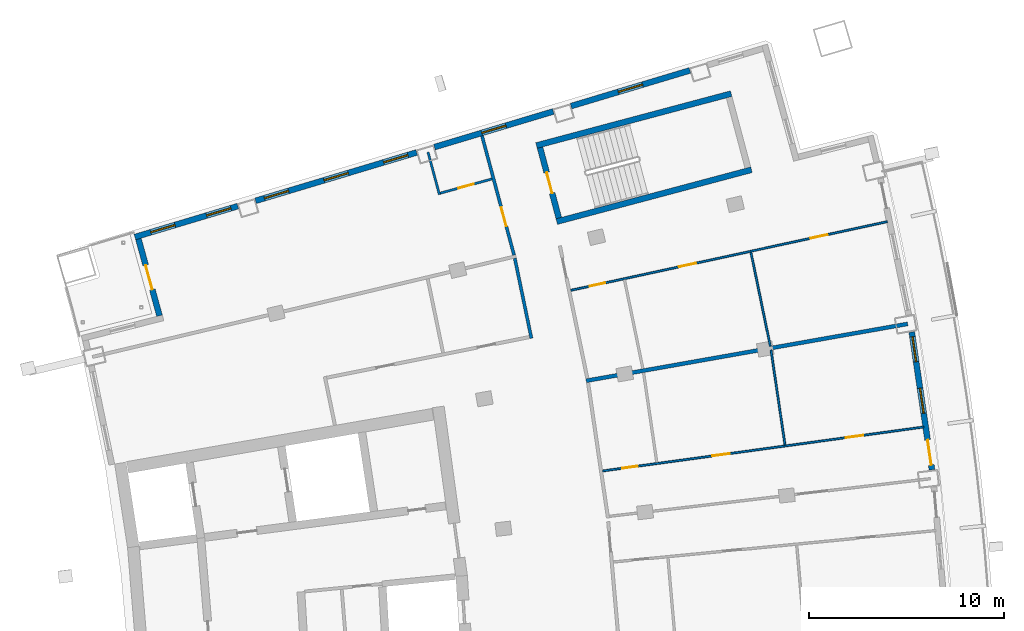
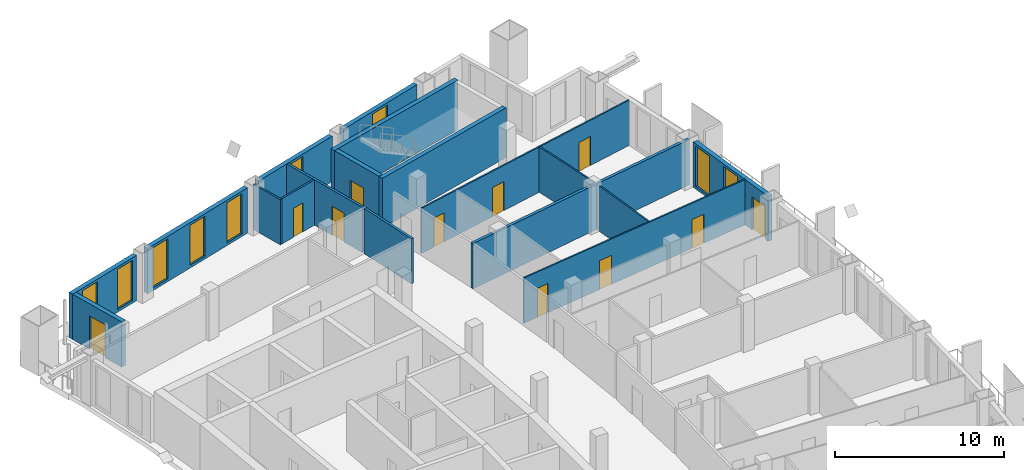
# One storey, part 14 of 17: 18 walls, 11 doors, 9 windows, 20 openings.
"""IFC4 building model written with IfcOpenShell, lengths in metres."""

import ifcopenshell
import ifcopenshell.guid

model = None  # the IFC model being written
_history = None  # IfcOwnerHistory: only IFC2X3 demands one
_inside = {}  # id of a spatial element -> (the spatial element, [elements in it])
_under = {}  # id of a project, library or spatial element -> (it, [spatial elements below it])
_declared = {}  # id of a project -> (the project, [libraries it declares])
_typed = {}  # id of a type object -> (the type object, [elements of that type])
_made_of = {}  # id of a material, layer set ... -> (it, [elements and type objects made of it])


def new_model(schema):
    """Start an empty IFC model of exactly this schema.

    Asked for "IFC4X3", IfcOpenShell would pick the latest addendum, in which some entities
    have other attributes; the version numbers below select the first issue.
    IFC2X3 requires an IfcOwnerHistory on every rooted entity: one is made here for all.
    """
    global model, _history
    if schema == "IFC4X3":
        model = ifcopenshell.file(schema_version=(4, 3, 0, 0))
    else:
        model = ifcopenshell.file(schema=schema)
    _inside.clear()
    _under.clear()
    _declared.clear()
    _typed.clear()
    _made_of.clear()
    _history = None
    if model.schema == "IFC2X3":
        org = make("IfcOrganization", Name="unknown")
        user = make(
            "IfcPersonAndOrganization",
            ThePerson=make("IfcPerson", FamilyName="unknown"),
            TheOrganization=org,
        )
        app = make(
            "IfcApplication",
            ApplicationDeveloper=org,
            Version="unknown",
            ApplicationFullName="unknown",
            ApplicationIdentifier="unknown",
        )
        _history = make(
            "IfcOwnerHistory",
            OwningUser=user,
            OwningApplication=app,
            ChangeAction="ADDED",
            CreationDate=0,
        )
    return model


def make(cls, **values):
    """One entity of the class cls with the attributes given. An attribute that is None is left unset."""
    return model.create_entity(
        cls, **{name: value for name, value in values.items() if value is not None}
    )


def rooted(cls, **values):
    """An entity with a GlobalId (a new one), such as an element, a storey or a relation."""
    return make(cls, GlobalId=ifcopenshell.guid.new(), OwnerHistory=_history, **values)


def si_unit(unit_type, name, prefix=None):
    """IfcSIUnit, for example si_unit("LENGTHUNIT", "METRE", prefix="MILLI")."""
    return make("IfcSIUnit", UnitType=unit_type, Prefix=prefix, Name=name)


def assignment(units):
    """IfcUnitAssignment: the units of a project."""
    return None if units is None else make("IfcUnitAssignment", Units=units)


def point(xyz):
    """IfcCartesianPoint."""
    return None if xyz is None else make("IfcCartesianPoint", Coordinates=xyz)


def direction(xyz):
    """IfcDirection."""
    return None if xyz is None else make("IfcDirection", DirectionRatios=xyz)


def frame(location, z_axis=None, x_axis=None):
    """IfcAxis2Placement3D, a coordinate frame: its origin and axes. An axis left out is left unset."""
    return make(
        "IfcAxis2Placement3D",
        Location=point(location),
        Axis=direction(z_axis),
        RefDirection=direction(x_axis),
    )


def frame_2d(location, x_axis=None):
    """IfcAxis2Placement2D, a coordinate frame in the plane: its origin and x axis."""
    return make(
        "IfcAxis2Placement2D", Location=point(location), RefDirection=direction(x_axis)
    )


def origin():
    """The frame at (0, 0, 0) with its axes left unset."""
    return frame((0.0, 0.0, 0.0))


def place(relative_to, where):
    """IfcLocalPlacement: puts the frame where relative to a parent placement (None: the world)."""
    return make(
        "IfcLocalPlacement", PlacementRelTo=relative_to, RelativePlacement=where
    )


def context(
    kind, dimensions, precision=None, world=None, true_north=None, identifier=None
):
    """IfcGeometricRepresentationContext, for example the 3D "Model" context."""
    return make(
        "IfcGeometricRepresentationContext",
        ContextIdentifier=identifier,
        ContextType=kind,
        CoordinateSpaceDimension=dimensions,
        Precision=precision,
        WorldCoordinateSystem=world,
        TrueNorth=true_north,
    )


def subcontext(parent, identifier, kind, view, scale=None):
    """IfcGeometricRepresentationSubContext, for example "Body" below "Model"."""
    return make(
        "IfcGeometricRepresentationSubContext",
        ContextIdentifier=identifier,
        ContextType=kind,
        ParentContext=parent,
        TargetScale=scale,
        TargetView=view,
    )


def project(units=None, contexts=None):
    """IfcProject with its units and contexts."""
    return rooted(
        "IfcProject",
        Name="project",
        RepresentationContexts=contexts,
        UnitsInContext=assignment(units),
    )


def spatial(cls, under=None, at=None, **own):
    """A site, building, storey or space (cls), placed at a placement, below another one or the project."""
    s = rooted(cls, ObjectPlacement=at, **own)
    if under is not None:
        _under.setdefault(under.id(), (under, []))[1].append(s)
    return s


def profile(cls, at=None, kind="AREA", **sizes):
    """A parametric profile (cls). Its sizes go by their IFC names, for example OverallWidth=200.0."""
    return make(cls, ProfileType=kind, Position=at, **sizes)


def rectangle(**sizes):
    """IfcRectangleProfileDef."""
    return profile("IfcRectangleProfileDef", **sizes)


def extrude(swept, where, along, depth):
    """IfcExtrudedAreaSolid: the profile swept, set in the frame where, extruded along a direction by depth."""
    return make(
        "IfcExtrudedAreaSolid",
        SweptArea=swept,
        Position=where,
        ExtrudedDirection=direction(along),
        Depth=depth,
    )


def shape(context_of_items, identifier, shape_type, items):
    """IfcShapeRepresentation: the items that make up one representation, for example the "Body"."""
    return make(
        "IfcShapeRepresentation",
        ContextOfItems=context_of_items,
        RepresentationIdentifier=identifier,
        RepresentationType=shape_type,
        Items=items,
    )


def material(Name=None, Category=None):
    """IfcMaterial."""
    return make("IfcMaterial", Name=Name, Category=Category)


def layer(
    of_material, thickness, ventilated=None, Name=None, Category=None, Priority=None
):
    """IfcMaterialLayer: one layer of a wall or slab, of a material (None: an air gap)."""
    return make(
        "IfcMaterialLayer",
        Material=of_material,
        LayerThickness=thickness,
        IsVentilated=ventilated,
        Name=Name,
        Category=Category,
        Priority=Priority,
    )


def layer_set(layers, Name=None):
    """IfcMaterialLayerSet."""
    return make("IfcMaterialLayerSet", MaterialLayers=layers, LayerSetName=Name)


def made_of(thing, what):
    """Note that an element or type object is made of a material, layer set ...; save() writes the relation."""
    if what is not None:
        _made_of.setdefault(what.id(), (what, []))[1].append(thing)
    return thing


def type_object(cls, material=None, **own):
    """A type object (cls), such as IfcWallType, which elements share."""
    return made_of(rooted(cls, **own), material)


def element(
    cls,
    number,
    at=None,
    inside=None,
    cuts=None,
    type_object=None,
    material=None,
    context=None,
    identifier="Body",
    shape_type=None,
    held_by="IfcProductDefinitionShape",
    body=None,
    shapes=None,
    **own,
):
    """One element of the class cls, such as IfcWall. Its Tag is "e" and its number.

    at: its placement. inside: the storey or other place that contains it. cuts: it is an
    opening in that element (IfcRelVoidsElement). A single representation is given by context,
    identifier, shape_type and body (its items); several are given by shapes. held_by: the class
    of the entity that holds the representations. save() writes the other relations.
    """
    e = rooted(cls, Tag="e%d" % number, ObjectPlacement=at, **own)
    if body is not None:
        shapes = [shape(context, identifier, shape_type, body)]
    if shapes is not None:
        e.Representation = make(held_by, Representations=shapes)
    if inside is not None:
        _inside.setdefault(inside.id(), (inside, []))[1].append(e)
    if cuts is not None:
        rooted(
            "IfcRelVoidsElement", RelatingBuildingElement=cuts, RelatedOpeningElement=e
        )
    if type_object is not None:
        _typed.setdefault(type_object.id(), (type_object, []))[1].append(e)
    return made_of(e, material)


def fill(opening, filler):
    """IfcRelFillsElement: the door or window that sits in an opening."""
    return rooted(
        "IfcRelFillsElement",
        RelatingOpeningElement=opening,
        RelatedBuildingElement=filler,
    )


def aggregate(whole, parts):
    """IfcRelAggregates: a whole, such as a stair, and the parts it consists of."""
    return rooted("IfcRelAggregates", RelatingObject=whole, RelatedObjects=parts)


def save(model, path):
    """Write the relations noted so far, then the file.

    IfcRelAggregates (storeys below a building ...), IfcRelContainedInSpatialStructure (elements
    in a storey), IfcRelDefinesByType, IfcRelAssociatesMaterial and IfcRelDeclares: one each for
    every whole, place, type object, material and project.
    """
    for whole, parts in _under.values():
        aggregate(whole, parts)
    for where, things in _inside.values():
        rooted(
            "IfcRelContainedInSpatialStructure",
            RelatedElements=things,
            RelatingStructure=where,
        )
    for kind, things in _typed.values():
        rooted("IfcRelDefinesByType", RelatedObjects=things, RelatingType=kind)
    for what, things in _made_of.values():
        rooted("IfcRelAssociatesMaterial", RelatedObjects=things, RelatingMaterial=what)
    for by, libraries in _declared.values():
        rooted("IfcRelDeclares", RelatingContext=by, RelatedDefinitions=libraries)
    model.write(path)


model = new_model("IFC4")

# Units and contexts
model_context = context("Model", 3, precision=1e-05, world=origin(), true_north=direction((0.0, 1.0)))
body_context = subcontext(model_context, "Body", "Model", "MODEL_VIEW")
ifc_project = project(units=[si_unit("LENGTHUNIT", "METRE"), si_unit("AREAUNIT", "SQUARE_METRE"), si_unit("VOLUMEUNIT", "CUBIC_METRE"), si_unit("PLANEANGLEUNIT", "RADIAN"), si_unit("MASSUNIT", "GRAM", prefix="KILO")], contexts=[model_context])

# Site, building, storey
site_placement = place(None, origin())
site = spatial("IfcSite", under=ifc_project, at=site_placement, CompositionType="ELEMENT")
building_placement = place(site_placement, origin())
building = spatial("IfcBuilding", under=site, at=building_placement, Name="Alderwake Tower", CompositionType="ELEMENT")
storey_placement = place(building_placement, frame((0.0, 0.0, 218.0)))
storey = spatial("IfcBuildingStorey", under=building, at=storey_placement, Name="L54", CompositionType="ELEMENT", Elevation=218.0)

# Walls
ifc_material_1 = material(Name="Concrete C70/85", Category="concrete")
ifc_layer_1 = layer(ifc_material_1, 0.300048828125)
ifc_layer_set_1 = layer_set([ifc_layer_1], Name="Core wall stair enclosure 300 C70-85")
wall_type_1 = type_object("IfcWallType", Name="Core wall stair enclosure 300 C70-85", PredefinedType="SHEAR", material=ifc_layer_set_1)
for number, where, z_axis, x_axis, name in (
    (1, (36.71142578125, 94.182373046875, 0.0), (0.0, 0.0, 1.0), (0.966309214305, 0.257383958996, 0.0), "Core wall CW.082"),
    (2, (37.75390625, 90.268798828125, 0.0), (0.0, 0.0, 1.0), (0.966309214305, 0.257383958996, 0.0), "Core wall CW.084"),
):
    element("IfcWall", number, at=place(storey_placement, frame(where, z_axis=z_axis, x_axis=x_axis)), inside=storey, type_object=wall_type_1, Name=name, PredefinedType="SHEAR", context=body_context, shape_type="SweptSolid", body=[
        extrude(rectangle(XDim=10.360107421875, YDim=0.300048828125, at=frame_2d((5.18017578125, 0.0))), origin(), (0.0, 0.0, 1.0), 3.60009765625),
    ])

# Wall, opening, door
wall_1_placement = place(storey_placement, frame((37.8603515625, 90.452392578125, 0.0), z_axis=(0.0, 0.0, 1.0), x_axis=(-0.257411420208, 0.966301899381, 0.0)))
wall_1 = element("IfcWall", 3, at=wall_1_placement, inside=storey, type_object=wall_type_1, Name="Core wall CW.083", PredefinedType="SHEAR", context=body_context, shape_type="SweptSolid", body=[
    extrude(rectangle(XDim=3.750244140625, YDim=0.300048828125, at=frame_2d((1.875, 0.0))), origin(), (0.0, 0.0, 1.0), 3.60009765625),
])
opening_1_placement = place(wall_1_placement, frame((1.324951171875, 0.0, 0.0)))
opening_1 = element("IfcOpeningElement", 4, at=opening_1_placement, cuts=wall_1, Name="Opening C062", PredefinedType="OPENING", context=body_context, shape_type="SweptSolid", body=[
    extrude(rectangle(XDim=1.10009765625, YDim=2.10009765625, at=frame_2d((0.550048828125, 1.050048828125))), frame((0.0, 0.159912109375, 0.0), z_axis=(0.0, -1.0, 0.0), x_axis=(1.0, 0.0, 0.0)), (0.0, 0.0, 1.0), 0.320068359375),
])
ifc_material_2 = material(Name="Steel-framed fire door leaf", Category="steel")
door_type_1 = type_object("IfcDoorType", Name="Core stair door 1100 fire-rated", OperationType="SINGLE_SWING_LEFT", PredefinedType="DOOR", material=ifc_material_2)
door_1_placement = place(opening_1_placement, origin())
door_1 = element("IfcDoor", 5, at=door_1_placement, inside=storey, type_object=door_type_1, Name="Stair door", OperationType="SINGLE_SWING_RIGHT", OverallHeight=2.10009765625, OverallWidth=1.10009765625, PredefinedType="DOOR", context=body_context, shape_type="SweptSolid", body=[
    extrude(rectangle(XDim=1.10009765625, YDim=2.10009765625, at=frame_2d((0.550048828125, 1.050048828125))), frame((0.0, 0.02490234375, 0.0), z_axis=(0.0, -1.0, 0.0), x_axis=(1.0, 0.0, 0.0)), (0.0, 0.0, 1.0), 0.050048828125),
])
fill(opening_1, door_1)

ifc_material_3 = material(Name="Gypsum board on metal studs, rated")
ifc_layer_2 = layer(ifc_material_3, 0.159912109375)
ifc_layer_set_2 = layer_set([ifc_layer_2], Name="Corridor wall 160")
wall_type_2 = type_object("IfcWallType", Name="Corridor wall 160", PredefinedType="PARTITIONING", material=ifc_layer_set_2)
wall_2_placement = place(storey_placement, frame((35.55908203125, 88.54736328125, 0.0), z_axis=(0.0, 0.0, 1.0), x_axis=(-0.259486497004, 0.965746735885, 0.0)))
wall_2 = element("IfcWall", 6, at=wall_2_placement, inside=storey, type_object=wall_type_2, Name="WL/L54/W13", PredefinedType="PARTITIONING", context=body_context, shape_type="SweptSolid", body=[
    extrude(rectangle(XDim=6.346923828125, YDim=0.159912109375, at=frame_2d((3.17333984375, 0.0))), origin(), (0.0, 0.0, 1.0), 3.280029296875),
])
opening_2_placement = place(wall_2_placement, frame((1.5380859375, 0.0, 0.0)))
opening_2 = element("IfcOpeningElement", 7, at=opening_2_placement, cuts=wall_2, Name="Opening R15-U09.1", PredefinedType="OPENING", context=body_context, shape_type="SweptSolid", body=[
    extrude(rectangle(XDim=1.0, YDim=2.10009765625, at=frame_2d((0.5, 1.050048828125))), frame((0.0, 0.08984375, 0.0), z_axis=(0.0, -1.0, 0.0), x_axis=(1.0, 0.0, 0.0)), (0.0, 0.0, 1.0), 0.179931640625),
])
ifc_material_4 = material(Name="Solid timber leaf in steel frame", Category="steel")
door_type_2 = type_object("IfcDoorType", Name="Flat entrance door 1000 fire-rated", OperationType="SINGLE_SWING_LEFT", PredefinedType="DOOR", material=ifc_material_4)
door_2_placement = place(opening_2_placement, origin())
door_2 = element("IfcDoor", 8, at=door_2_placement, inside=storey, type_object=door_type_2, Name="DR/L54/U09.1", OperationType="SINGLE_SWING_LEFT", OverallHeight=2.10009765625, OverallWidth=1.0, PredefinedType="DOOR", context=body_context, shape_type="SweptSolid", body=[
    extrude(rectangle(XDim=1.0, YDim=2.10009765625, at=frame_2d((0.5, 1.050048828125))), frame((0.0, 0.02490234375, 0.0), z_axis=(0.0, -1.0, 0.0), x_axis=(1.0, 0.0, 0.0)), (0.0, 0.0, 1.0), 0.050048828125),
])
fill(opening_2, door_2)

# Wall
wall_3_placement = place(storey_placement, frame((35.59619140625, 88.3916015625, 0.0), z_axis=(0.0, 0.0, 1.0), x_axis=(0.20329833965, -0.979116839348, 0.0)))
element("IfcWall", 9, at=wall_3_placement, inside=storey, type_object=wall_type_2, Name="WL/L54/W15", PredefinedType="PARTITIONING", context=body_context, shape_type="SweptSolid", body=[
    extrude(rectangle(XDim=4.206787109375, YDim=0.159912109375, at=frame_2d((2.103515625, 0.0))), origin(), (0.0, 0.0, 1.0), 3.280029296875),
])

# Wall, openings, door, windows
ifc_material_5 = material(Name="Precast concrete C50/60 spandrel panel", Category="concrete")
ifc_layer_3 = layer(ifc_material_5, 0.300048828125)
ifc_layer_set_3 = layer_set([ifc_layer_3], Name="External wall EW1 Precast concrete C50/60 spandrel")
wall_type_3 = type_object("IfcWallType", Name="External wall EW1 Precast concrete C50/60 spandrel", PredefinedType="SOLIDWALL", material=ifc_layer_set_3)
wall_4_placement = place(storey_placement, frame((57.04638671875, 77.511962890625, 0.0), z_axis=(0.0, 0.0, 1.0), x_axis=(-0.14528382607, 0.989390019094, 0.0)))
wall_4 = element("IfcWall", 10, at=wall_4_placement, inside=storey, type_object=wall_type_3, Name="External wall 18", PredefinedType="SOLIDWALL", context=body_context, shape_type="SweptSolid", body=[
    extrude(rectangle(XDim=7.156982421875, YDim=0.300048828125, at=frame_2d((3.57861328125, 0.0))), origin(), (0.0, 0.0, 1.0), 3.280029296875),
])
opening_3_placement = place(wall_4_placement, frame((0.24951171875, 0.0, 0.0)))
opening_3 = element("IfcOpeningElement", 11, at=opening_3_placement, cuts=wall_4, Name="Opening D07", PredefinedType="OPENING", context=body_context, shape_type="SweptSolid", body=[
    extrude(rectangle(XDim=1.300048828125, YDim=2.39990234375, at=frame_2d((0.64990234375, 1.199951171875))), frame((0.0, 0.159912109375, 0.0), z_axis=(0.0, -1.0, 0.0), x_axis=(1.0, 0.0, 0.0)), (0.0, 0.0, 1.0), 0.320068359375),
])
opening_4_placement = place(wall_4_placement, frame((2.928466796875, 0.0, 0.199951171875)))
opening_4 = element("IfcOpeningElement", 12, at=opening_4_placement, cuts=wall_4, Name="Opening W1", PredefinedType="OPENING", context=body_context, shape_type="SweptSolid", body=[
    extrude(rectangle(XDim=1.300048828125, YDim=2.89990234375, at=frame_2d((0.64990234375, 1.449951171875))), frame((0.0, 0.159912109375, 0.0), z_axis=(0.0, -1.0, 0.0), x_axis=(1.0, 0.0, 0.0)), (0.0, 0.0, 1.0), 0.320068359375),
])
opening_5_placement = place(wall_4_placement, frame((5.607666015625, 0.0, 0.199951171875)))
opening_5 = element("IfcOpeningElement", 13, at=opening_5_placement, cuts=wall_4, Name="Opening W1", PredefinedType="OPENING", context=body_context, shape_type="SweptSolid", body=[
    extrude(rectangle(XDim=1.300048828125, YDim=2.89990234375, at=frame_2d((0.64990234375, 1.449951171875))), frame((0.0, 0.159912109375, 0.0), z_axis=(0.0, -1.0, 0.0), x_axis=(1.0, 0.0, 0.0)), (0.0, 0.0, 1.0), 0.320068359375),
])
ifc_material_6 = material(Name="Bronze tinted glass in aluminium frame", Category="aluminium")
door_type_3 = type_object("IfcDoorType", Name="Balcony door BD sliding", OperationType="SLIDING_TO_LEFT", PredefinedType="DOOR", material=ifc_material_6)
door_3_placement = place(opening_3_placement, origin())
door_3 = element("IfcDoor", 14, at=door_3_placement, inside=storey, type_object=door_type_3, Name="Door D07", OperationType="SLIDING_TO_LEFT", OverallHeight=2.39990234375, OverallWidth=1.300048828125, PredefinedType="DOOR", context=body_context, shape_type="SweptSolid", body=[
    extrude(rectangle(XDim=1.300048828125, YDim=2.39990234375, at=frame_2d((0.64990234375, 1.199951171875))), frame((0.0, 0.02490234375, 0.0), z_axis=(0.0, -1.0, 0.0), x_axis=(1.0, 0.0, 0.0)), (0.0, 0.0, 1.0), 0.050048828125),
])
fill(opening_3, door_3)
ifc_material_7 = material(Name="Bronze tinted glass in aluminium frame", Category="aluminium")
window_type = type_object("IfcWindowType", Name="Window W1 tall fixed and vent", PartitioningType="DOUBLE_PANEL_VERTICAL", PredefinedType="WINDOW", material=ifc_material_7)
window_1_placement = place(opening_4_placement, origin())
window_1 = element("IfcWindow", 15, at=window_1_placement, inside=storey, type_object=window_type, Name="Window W1 tall fixed and vent", OverallHeight=2.89990234375, OverallWidth=1.300048828125, PartitioningType="DOUBLE_PANEL_VERTICAL", PredefinedType="WINDOW", context=body_context, shape_type="SweptSolid", body=[
    extrude(rectangle(XDim=1.300048828125, YDim=2.89990234375, at=frame_2d((0.64990234375, 1.449951171875))), frame((0.0, 0.030029296875, 0.0), z_axis=(0.0, -1.0, 0.0), x_axis=(1.0, 0.0, 0.0)), (0.0, 0.0, 1.0), 0.06005859375),
])
fill(opening_4, window_1)
window_2_placement = place(opening_5_placement, origin())
window_2 = element("IfcWindow", 16, at=window_2_placement, inside=storey, type_object=window_type, Name="Window W1 tall fixed and vent", OverallHeight=2.89990234375, OverallWidth=1.300048828125, PartitioningType="DOUBLE_PANEL_VERTICAL", PredefinedType="WINDOW", context=body_context, shape_type="SweptSolid", body=[
    extrude(rectangle(XDim=1.300048828125, YDim=2.89990234375, at=frame_2d((0.64990234375, 1.449951171875))), frame((0.0, 0.030029296875, 0.0), z_axis=(0.0, -1.0, 0.0), x_axis=(1.0, 0.0, 0.0)), (0.0, 0.0, 1.0), 0.06005859375),
])
fill(opening_5, window_2)

# Wall, opening, window
ifc_material_8 = material(Name="Bronze metal cladding on lightweight framing")
ifc_layer_4 = layer(ifc_material_8, 0.300048828125)
ifc_layer_set_4 = layer_set([ifc_layer_4], Name="External wall EW2 bronze metal cladding")
wall_type_4 = type_object("IfcWallType", Name="External wall EW2 bronze metal cladding", PredefinedType="SOLIDWALL", material=ifc_layer_set_4)
wall_5_placement = place(storey_placement, frame((44.599365234375, 98.042724609375, 0.0), z_axis=(0.0, 0.0, 1.0), x_axis=(-0.957770447312, -0.287533946266, 0.0)))
wall_5 = element("IfcWall", 17, at=wall_5_placement, inside=storey, type_object=wall_type_4, Name="External wall 24", PredefinedType="SOLIDWALL", context=body_context, shape_type="SweptSolid", body=[
    extrude(rectangle(XDim=6.380126953125, YDim=0.300048828125, at=frame_2d((3.18994140625, 0.0))), origin(), (0.0, 0.0, 1.0), 3.280029296875),
])
opening_6_placement = place(wall_5_placement, frame((2.5400390625, 0.0, 0.199951171875)))
opening_6 = element("IfcOpeningElement", 18, at=opening_6_placement, cuts=wall_5, Name="Opening W1", PredefinedType="OPENING", context=body_context, shape_type="SweptSolid", body=[
    extrude(rectangle(XDim=1.300048828125, YDim=2.89990234375, at=frame_2d((0.64990234375, 1.449951171875))), frame((0.0, 0.159912109375, 0.0), z_axis=(0.0, -1.0, 0.0), x_axis=(1.0, 0.0, 0.0)), (0.0, 0.0, 1.0), 0.320068359375),
])
window_3_placement = place(opening_6_placement, origin())
window_3 = element("IfcWindow", 19, at=window_3_placement, inside=storey, type_object=window_type, Name="Window W1 tall fixed and vent", OverallHeight=2.89990234375, OverallWidth=1.300048828125, PartitioningType="DOUBLE_PANEL_VERTICAL", PredefinedType="WINDOW", context=body_context, shape_type="SweptSolid", body=[
    extrude(rectangle(XDim=1.300048828125, YDim=2.89990234375, at=frame_2d((0.64990234375, 1.449951171875))), frame((0.0, 0.030029296875, 0.0), z_axis=(0.0, -1.0, 0.0), x_axis=(1.0, 0.0, 0.0)), (0.0, 0.0, 1.0), 0.06005859375),
])
fill(opening_6, window_3)

wall_6_placement = place(storey_placement, frame((37.575439453125, 95.93408203125, 0.0), z_axis=(0.0, 0.0, 1.0), x_axis=(-0.957767283432, -0.287544484885, 0.0)))
wall_6 = element("IfcWall", 20, at=wall_6_placement, inside=storey, type_object=wall_type_4, Name="External wall 25", PredefinedType="SOLIDWALL", context=body_context, shape_type="SweptSolid", body=[
    extrude(rectangle(XDim=6.3798828125, YDim=0.300048828125, at=frame_2d((3.18994140625, 0.0))), origin(), (0.0, 0.0, 1.0), 3.280029296875),
])
opening_7_placement = place(wall_6_placement, frame((2.539794921875, 0.0, 0.199951171875)))
opening_7 = element("IfcOpeningElement", 21, at=opening_7_placement, cuts=wall_6, Name="Opening W1", PredefinedType="OPENING", context=body_context, shape_type="SweptSolid", body=[
    extrude(rectangle(XDim=1.300048828125, YDim=2.89990234375, at=frame_2d((0.64990234375, 1.449951171875))), frame((0.0, 0.159912109375, 0.0), z_axis=(0.0, -1.0, 0.0), x_axis=(1.0, 0.0, 0.0)), (0.0, 0.0, 1.0), 0.320068359375),
])
window_4_placement = place(opening_7_placement, origin())
window_4 = element("IfcWindow", 22, at=window_4_placement, inside=storey, type_object=window_type, Name="Window W1 tall fixed and vent", OverallHeight=2.89990234375, OverallWidth=1.300048828125, PartitioningType="DOUBLE_PANEL_VERTICAL", PredefinedType="WINDOW", context=body_context, shape_type="SweptSolid", body=[
    extrude(rectangle(XDim=1.300048828125, YDim=2.89990234375, at=frame_2d((0.64990234375, 1.449951171875))), frame((0.0, 0.030029296875, 0.0), z_axis=(0.0, -1.0, 0.0), x_axis=(1.0, 0.0, 0.0)), (0.0, 0.0, 1.0), 0.06005859375),
])
fill(opening_7, window_4)

# Wall, openings, windows
wall_7_placement = place(storey_placement, frame((30.551513671875, 93.8251953125, 0.0), z_axis=(0.0, 0.0, 1.0), x_axis=(-0.957767198916, -0.287544766394, 0.0)))
wall_7 = element("IfcWall", 23, at=wall_7_placement, inside=storey, type_object=wall_type_4, Name="External wall 26", PredefinedType="SOLIDWALL", context=body_context, shape_type="SweptSolid", body=[
    extrude(rectangle(XDim=8.64599609375, YDim=0.300048828125, at=frame_2d((4.322998046875, 0.0))), origin(), (0.0, 0.0, 1.0), 3.280029296875),
])
opening_8_placement = place(wall_7_placement, frame((0.47314453125, 0.0, 0.199951171875)))
opening_8 = element("IfcOpeningElement", 24, at=opening_8_placement, cuts=wall_7, Name="Opening W1", PredefinedType="OPENING", context=body_context, shape_type="SweptSolid", body=[
    extrude(rectangle(XDim=1.300048828125, YDim=2.89990234375, at=frame_2d((0.64990234375, 1.449951171875))), frame((0.0, 0.159912109375, 0.0), z_axis=(0.0, -1.0, 0.0), x_axis=(1.0, 0.0, 0.0)), (0.0, 0.0, 1.0), 0.320068359375),
])
opening_9_placement = place(wall_7_placement, frame((3.673095703125, 0.0, 0.199951171875)))
opening_9 = element("IfcOpeningElement", 25, at=opening_9_placement, cuts=wall_7, Name="Opening W1", PredefinedType="OPENING", context=body_context, shape_type="SweptSolid", body=[
    extrude(rectangle(XDim=1.300048828125, YDim=2.89990234375, at=frame_2d((0.64990234375, 1.449951171875))), frame((0.0, 0.159912109375, 0.0), z_axis=(0.0, -1.0, 0.0), x_axis=(1.0, 0.0, 0.0)), (0.0, 0.0, 1.0), 0.320068359375),
])
opening_10_placement = place(wall_7_placement, frame((6.873291015625, 0.0, 0.199951171875)))
opening_10 = element("IfcOpeningElement", 26, at=opening_10_placement, cuts=wall_7, Name="Opening W1", PredefinedType="OPENING", context=body_context, shape_type="SweptSolid", body=[
    extrude(rectangle(XDim=1.300048828125, YDim=2.89990234375, at=frame_2d((0.64990234375, 1.449951171875))), frame((0.0, 0.159912109375, 0.0), z_axis=(0.0, -1.0, 0.0), x_axis=(1.0, 0.0, 0.0)), (0.0, 0.0, 1.0), 0.320068359375),
])
window_5_placement = place(opening_8_placement, origin())
window_5 = element("IfcWindow", 27, at=window_5_placement, inside=storey, type_object=window_type, Name="Window W1 tall fixed and vent", OverallHeight=2.89990234375, OverallWidth=1.300048828125, PartitioningType="DOUBLE_PANEL_VERTICAL", PredefinedType="WINDOW", context=body_context, shape_type="SweptSolid", body=[
    extrude(rectangle(XDim=1.300048828125, YDim=2.89990234375, at=frame_2d((0.64990234375, 1.449951171875))), frame((0.0, 0.030029296875, 0.0), z_axis=(0.0, -1.0, 0.0), x_axis=(1.0, 0.0, 0.0)), (0.0, 0.0, 1.0), 0.06005859375),
])
fill(opening_8, window_5)
window_6_placement = place(opening_9_placement, origin())
window_6 = element("IfcWindow", 28, at=window_6_placement, inside=storey, type_object=window_type, Name="Window W1 tall fixed and vent", OverallHeight=2.89990234375, OverallWidth=1.300048828125, PartitioningType="DOUBLE_PANEL_VERTICAL", PredefinedType="WINDOW", context=body_context, shape_type="SweptSolid", body=[
    extrude(rectangle(XDim=1.300048828125, YDim=2.89990234375, at=frame_2d((0.64990234375, 1.449951171875))), frame((0.0, 0.030029296875, 0.0), z_axis=(0.0, -1.0, 0.0), x_axis=(1.0, 0.0, 0.0)), (0.0, 0.0, 1.0), 0.06005859375),
])
fill(opening_9, window_6)
window_7_placement = place(opening_10_placement, origin())
window_7 = element("IfcWindow", 29, at=window_7_placement, inside=storey, type_object=window_type, Name="Window W1 tall fixed and vent", OverallHeight=2.89990234375, OverallWidth=1.300048828125, PartitioningType="DOUBLE_PANEL_VERTICAL", PredefinedType="WINDOW", context=body_context, shape_type="SweptSolid", body=[
    extrude(rectangle(XDim=1.300048828125, YDim=2.89990234375, at=frame_2d((0.64990234375, 1.449951171875))), frame((0.0, 0.030029296875, 0.0), z_axis=(0.0, -1.0, 0.0), x_axis=(1.0, 0.0, 0.0)), (0.0, 0.0, 1.0), 0.06005859375),
])
fill(opening_10, window_7)

wall_8_placement = place(storey_placement, frame((21.356689453125, 91.064697265625, 0.0), z_axis=(0.0, 0.0, 1.0), x_axis=(-0.957772749247, -0.287526278451, 0.0)))
wall_8 = element("IfcWall", 30, at=wall_8_placement, inside=storey, type_object=wall_type_4, Name="External wall 27", PredefinedType="SOLIDWALL", context=body_context, shape_type="SweptSolid", body=[
    extrude(rectangle(XDim=5.524169921875, YDim=0.300048828125, at=frame_2d((2.76220703125, 0.0))), origin(), (0.0, 0.0, 1.0), 3.280029296875),
])
opening_11_placement = place(wall_8_placement, frame((0.373291015625, 0.0, 0.199951171875)))
opening_11 = element("IfcOpeningElement", 31, at=opening_11_placement, cuts=wall_8, Name="Opening W1", PredefinedType="OPENING", context=body_context, shape_type="SweptSolid", body=[
    extrude(rectangle(XDim=1.300048828125, YDim=2.89990234375, at=frame_2d((0.64990234375, 1.449951171875))), frame((0.0, 0.159912109375, 0.0), z_axis=(0.0, -1.0, 0.0), x_axis=(1.0, 0.0, 0.0)), (0.0, 0.0, 1.0), 0.320068359375),
])
opening_12_placement = place(wall_8_placement, frame((3.3740234375, 0.0, 0.199951171875)))
opening_12 = element("IfcOpeningElement", 32, at=opening_12_placement, cuts=wall_8, Name="Opening W1", PredefinedType="OPENING", context=body_context, shape_type="SweptSolid", body=[
    extrude(rectangle(XDim=1.300048828125, YDim=2.89990234375, at=frame_2d((0.64990234375, 1.449951171875))), frame((0.0, 0.159912109375, 0.0), z_axis=(0.0, -1.0, 0.0), x_axis=(1.0, 0.0, 0.0)), (0.0, 0.0, 1.0), 0.320068359375),
])
window_8_placement = place(opening_11_placement, origin())
window_8 = element("IfcWindow", 33, at=window_8_placement, inside=storey, type_object=window_type, Name="Window W1 tall fixed and vent", OverallHeight=2.89990234375, OverallWidth=1.300048828125, PartitioningType="DOUBLE_PANEL_VERTICAL", PredefinedType="WINDOW", context=body_context, shape_type="SweptSolid", body=[
    extrude(rectangle(XDim=1.300048828125, YDim=2.89990234375, at=frame_2d((0.64990234375, 1.449951171875))), frame((0.0, 0.030029296875, 0.0), z_axis=(0.0, -1.0, 0.0), x_axis=(1.0, 0.0, 0.0)), (0.0, 0.0, 1.0), 0.06005859375),
])
fill(opening_11, window_8)
window_9_placement = place(opening_12_placement, origin())
window_9 = element("IfcWindow", 34, at=window_9_placement, inside=storey, type_object=window_type, Name="Window W1 tall fixed and vent", OverallHeight=2.89990234375, OverallWidth=1.300048828125, PartitioningType="DOUBLE_PANEL_VERTICAL", PredefinedType="WINDOW", context=body_context, shape_type="SweptSolid", body=[
    extrude(rectangle(XDim=1.300048828125, YDim=2.89990234375, at=frame_2d((0.64990234375, 1.449951171875))), frame((0.0, 0.030029296875, 0.0), z_axis=(0.0, -1.0, 0.0), x_axis=(1.0, 0.0, 0.0)), (0.0, 0.0, 1.0), 0.06005859375),
])
fill(opening_12, window_9)

# Wall, opening, door
wall_9_placement = place(storey_placement, frame((16.248779296875, 89.374755859375, 0.0), z_axis=(0.0, 0.0, 1.0), x_axis=(0.264607053468, -0.964356317579, 0.0)))
wall_9 = element("IfcWall", 35, at=wall_9_placement, inside=storey, type_object=wall_type_4, Name="External wall 28", PredefinedType="SOLIDWALL", context=body_context, shape_type="SweptSolid", body=[
    extrude(rectangle(XDim=4.090087890625, YDim=0.300048828125, at=frame_2d((2.044921875, 0.0))), origin(), (0.0, 0.0, 1.0), 3.280029296875),
])
opening_13_placement = place(wall_9_placement, frame((1.39501953125, 0.0, 0.0)))
opening_13 = element("IfcOpeningElement", 36, at=opening_13_placement, cuts=wall_9, Name="Opening D09", PredefinedType="OPENING", context=body_context, shape_type="SweptSolid", body=[
    extrude(rectangle(XDim=1.300048828125, YDim=2.39990234375, at=frame_2d((0.64990234375, 1.199951171875))), frame((0.0, 0.159912109375, 0.0), z_axis=(0.0, -1.0, 0.0), x_axis=(1.0, 0.0, 0.0)), (0.0, 0.0, 1.0), 0.320068359375),
])
door_4_placement = place(opening_13_placement, origin())
door_4 = element("IfcDoor", 37, at=door_4_placement, inside=storey, type_object=door_type_3, Name="Door D09", OperationType="SLIDING_TO_LEFT", OverallHeight=2.39990234375, OverallWidth=1.300048828125, PredefinedType="DOOR", context=body_context, shape_type="SweptSolid", body=[
    extrude(rectangle(XDim=1.300048828125, YDim=2.39990234375, at=frame_2d((0.64990234375, 1.199951171875))), frame((0.0, 0.02490234375, 0.0), z_axis=(0.0, -1.0, 0.0), x_axis=(1.0, 0.0, 0.0)), (0.0, 0.0, 1.0), 0.050048828125),
])
fill(opening_13, door_4)

# Wall
ifc_material_9 = material(Name="Dense block masonry wall", Category="masonry")
ifc_layer_5 = layer(ifc_material_9, 0.199951171875)
ifc_layer_set_5 = layer_set([ifc_layer_5], Name="Party wall 200")
wall_type_5 = type_object("IfcWallType", Name="Party wall 200", PredefinedType="SOLIDWALL", material=ifc_layer_set_5)
wall_10_placement = place(storey_placement, frame((55.7939453125, 85.010986328125, 0.0), z_axis=(0.0, 0.0, 1.0), x_axis=(-0.984704809024, -0.174230993468, 0.0)))
element("IfcWall", 38, at=wall_10_placement, inside=storey, type_object=wall_type_5, Name="WL/L54/W02", PredefinedType="SOLIDWALL", context=body_context, shape_type="SweptSolid", body=[
    extrude(rectangle(XDim=16.78125, YDim=0.199951171875, at=frame_2d((8.390625, 0.0))), origin(), (0.0, 0.0, 1.0), 3.280029296875),
])

# Wall, openings, doors
ifc_material_10 = material(Name="Gypsum board on metal studs")
ifc_layer_6 = layer(ifc_material_10, 0.10009765625)
ifc_layer_set_6 = layer_set([ifc_layer_6], Name="Unit partition 100")
wall_type_6 = type_object("IfcWallType", Name="Unit partition 100", PredefinedType="PARTITIONING", material=ifc_layer_set_6)
wall_11_placement = place(storey_placement, frame((54.7529296875, 90.27001953125, 0.0), z_axis=(0.0, 0.0, 1.0), x_axis=(-0.977230954278, -0.212178373077, 0.0)))
wall_11 = element("IfcWall", 39, at=wall_11_placement, inside=storey, type_object=wall_type_6, Name="WL/L54/W40", PredefinedType="PARTITIONING", context=body_context, shape_type="SweptSolid", body=[
    extrude(rectangle(XDim=16.66015625, YDim=0.10009765625, at=frame_2d((8.330078125, 0.0))), origin(), (0.0, 0.0, 1.0), 3.280029296875),
])
opening_14_placement = place(wall_11_placement, frame((10.066162109375, 0.0, 0.0)))
opening_14 = element("IfcOpeningElement", 40, at=opening_14_placement, cuts=wall_11, Name="Opening R15-U07.1", PredefinedType="OPENING", context=body_context, shape_type="SweptSolid", body=[
    extrude(rectangle(XDim=0.89990234375, YDim=2.10009765625, at=frame_2d((0.449951171875, 1.050048828125))), frame((0.0, 0.06005859375, 0.0), z_axis=(0.0, -1.0, 0.0), x_axis=(1.0, 0.0, 0.0)), (0.0, 0.0, 1.0), 0.1201171875),
])
opening_15_placement = place(wall_11_placement, frame((14.851318359375, 0.0, 0.0)))
opening_15 = element("IfcOpeningElement", 41, at=opening_15_placement, cuts=wall_11, Name="Opening R15-U07.3", PredefinedType="OPENING", context=body_context, shape_type="SweptSolid", body=[
    extrude(rectangle(XDim=0.800048828125, YDim=2.10009765625, at=frame_2d((0.39990234375, 1.050048828125))), frame((0.0, 0.06005859375, 0.0), z_axis=(0.0, -1.0, 0.0), x_axis=(1.0, 0.0, 0.0)), (0.0, 0.0, 1.0), 0.1201171875),
])
opening_16_placement = place(wall_11_placement, frame((3.145263671875, 0.0, 0.0)))
opening_16 = element("IfcOpeningElement", 42, at=opening_16_placement, cuts=wall_11, Name="Opening R15-U07.4", PredefinedType="OPENING", context=body_context, shape_type="SweptSolid", body=[
    extrude(rectangle(XDim=0.89990234375, YDim=2.10009765625, at=frame_2d((0.449951171875, 1.050048828125))), frame((0.0, 0.06005859375, 0.0), z_axis=(0.0, -1.0, 0.0), x_axis=(1.0, 0.0, 0.0)), (0.0, 0.0, 1.0), 0.1201171875),
])
ifc_material_11 = material(Name="Painted timber leaf", Category="wood")
door_type_4 = type_object("IfcDoorType", Name="Bathroom door 800", OperationType="SINGLE_SWING_LEFT", PredefinedType="DOOR", material=ifc_material_11)
door_5_placement = place(opening_15_placement, origin())
door_5 = element("IfcDoor", 43, at=door_5_placement, inside=storey, type_object=door_type_4, Name="DR/L54/U07.3", OperationType="SINGLE_SWING_LEFT", OverallHeight=2.10009765625, OverallWidth=0.800048828125, PredefinedType="DOOR", context=body_context, shape_type="SweptSolid", body=[
    extrude(rectangle(XDim=0.800048828125, YDim=2.10009765625, at=frame_2d((0.39990234375, 1.050048828125))), frame((0.0, 0.02490234375, 0.0), z_axis=(0.0, -1.0, 0.0), x_axis=(1.0, 0.0, 0.0)), (0.0, 0.0, 1.0), 0.050048828125),
])
fill(opening_15, door_5)
ifc_material_12 = material(Name="Painted timber leaf", Category="wood")
door_type_5 = type_object("IfcDoorType", Name="Room door 900", OperationType="SINGLE_SWING_LEFT", PredefinedType="DOOR", material=ifc_material_12)
door_6_placement = place(opening_14_placement, origin())
door_6 = element("IfcDoor", 44, at=door_6_placement, inside=storey, type_object=door_type_5, Name="DR/L54/U07.1", OperationType="SINGLE_SWING_LEFT", OverallHeight=2.10009765625, OverallWidth=0.89990234375, PredefinedType="DOOR", context=body_context, shape_type="SweptSolid", body=[
    extrude(rectangle(XDim=0.89990234375, YDim=2.10009765625, at=frame_2d((0.449951171875, 1.050048828125))), frame((0.0, 0.02490234375, 0.0), z_axis=(0.0, -1.0, 0.0), x_axis=(1.0, 0.0, 0.0)), (0.0, 0.0, 1.0), 0.050048828125),
])
fill(opening_14, door_6)
door_7_placement = place(opening_16_placement, origin())
door_7 = element("IfcDoor", 45, at=door_7_placement, inside=storey, type_object=door_type_5, Name="DR/L54/U07.4", OperationType="SINGLE_SWING_LEFT", OverallHeight=2.10009765625, OverallWidth=0.89990234375, PredefinedType="DOOR", context=body_context, shape_type="SweptSolid", body=[
    extrude(rectangle(XDim=0.89990234375, YDim=2.10009765625, at=frame_2d((0.449951171875, 1.050048828125))), frame((0.0, 0.02490234375, 0.0), z_axis=(0.0, -1.0, 0.0), x_axis=(1.0, 0.0, 0.0)), (0.0, 0.0, 1.0), 0.050048828125),
])
fill(opening_16, door_7)

wall_12_placement = place(storey_placement, frame((40.1142578125, 77.449951171875, 0.0), z_axis=(0.0, 0.0, 1.0), x_axis=(0.990758161206, 0.135640207914, 0.0)))
wall_12 = element("IfcWall", 46, at=wall_12_placement, inside=storey, type_object=wall_type_6, Name="WL/L54/W43", PredefinedType="PARTITIONING", context=body_context, shape_type="SweptSolid", body=[
    extrude(rectangle(XDim=16.661865234375, YDim=0.10009765625, at=frame_2d((8.3310546875, 0.0))), origin(), (0.0, 0.0, 1.0), 3.280029296875),
])
opening_17_placement = place(wall_12_placement, frame((5.693603515625, 0.0, 0.0)))
opening_17 = element("IfcOpeningElement", 47, at=opening_17_placement, cuts=wall_12, Name="Opening R15-U06.5", PredefinedType="OPENING", context=body_context, shape_type="SweptSolid", body=[
    extrude(rectangle(XDim=0.89990234375, YDim=2.10009765625, at=frame_2d((0.449951171875, 1.050048828125))), frame((0.0, 0.06005859375, 0.0), z_axis=(0.0, -1.0, 0.0), x_axis=(1.0, 0.0, 0.0)), (0.0, 0.0, 1.0), 0.1201171875),
])
opening_18_placement = place(wall_12_placement, frame((1.0087890625, 0.0, 0.0)))
opening_18 = element("IfcOpeningElement", 48, at=opening_18_placement, cuts=wall_12, Name="Opening R15-U06.6", PredefinedType="OPENING", context=body_context, shape_type="SweptSolid", body=[
    extrude(rectangle(XDim=0.800048828125, YDim=2.10009765625, at=frame_2d((0.39990234375, 1.050048828125))), frame((0.0, 0.06005859375, 0.0), z_axis=(0.0, -1.0, 0.0), x_axis=(1.0, 0.0, 0.0)), (0.0, 0.0, 1.0), 0.1201171875),
])
opening_19_placement = place(wall_12_placement, frame((12.615478515625, 0.0, 0.0)))
opening_19 = element("IfcOpeningElement", 49, at=opening_19_placement, cuts=wall_12, Name="Opening R15-U06.7", PredefinedType="OPENING", context=body_context, shape_type="SweptSolid", body=[
    extrude(rectangle(XDim=0.89990234375, YDim=2.10009765625, at=frame_2d((0.449951171875, 1.050048828125))), frame((0.0, 0.06005859375, 0.0), z_axis=(0.0, -1.0, 0.0), x_axis=(1.0, 0.0, 0.0)), (0.0, 0.0, 1.0), 0.1201171875),
])
door_8_placement = place(opening_18_placement, origin())
door_8 = element("IfcDoor", 50, at=door_8_placement, inside=storey, type_object=door_type_4, Name="DR/L54/U06.6", OperationType="SINGLE_SWING_LEFT", OverallHeight=2.10009765625, OverallWidth=0.800048828125, PredefinedType="DOOR", context=body_context, shape_type="SweptSolid", body=[
    extrude(rectangle(XDim=0.800048828125, YDim=2.10009765625, at=frame_2d((0.39990234375, 1.050048828125))), frame((0.0, 0.02490234375, 0.0), z_axis=(0.0, -1.0, 0.0), x_axis=(1.0, 0.0, 0.0)), (0.0, 0.0, 1.0), 0.050048828125),
])
fill(opening_18, door_8)
door_9_placement = place(opening_17_placement, origin())
door_9 = element("IfcDoor", 51, at=door_9_placement, inside=storey, type_object=door_type_5, Name="DR/L54/U06.5", OperationType="SINGLE_SWING_LEFT", OverallHeight=2.10009765625, OverallWidth=0.89990234375, PredefinedType="DOOR", context=body_context, shape_type="SweptSolid", body=[
    extrude(rectangle(XDim=0.89990234375, YDim=2.10009765625, at=frame_2d((0.449951171875, 1.050048828125))), frame((0.0, 0.02490234375, 0.0), z_axis=(0.0, -1.0, 0.0), x_axis=(1.0, 0.0, 0.0)), (0.0, 0.0, 1.0), 0.050048828125),
])
fill(opening_17, door_9)
door_10_placement = place(opening_19_placement, origin())
door_10 = element("IfcDoor", 52, at=door_10_placement, inside=storey, type_object=door_type_5, Name="DR/L54/U06.7", OperationType="SINGLE_SWING_LEFT", OverallHeight=2.10009765625, OverallWidth=0.89990234375, PredefinedType="DOOR", context=body_context, shape_type="SweptSolid", body=[
    extrude(rectangle(XDim=0.89990234375, YDim=2.10009765625, at=frame_2d((0.449951171875, 1.050048828125))), frame((0.0, 0.02490234375, 0.0), z_axis=(0.0, -1.0, 0.0), x_axis=(1.0, 0.0, 0.0)), (0.0, 0.0, 1.0), 0.050048828125),
])
fill(opening_19, door_10)

# Walls
wall_13_placement = place(storey_placement, frame((48.735595703125, 83.864013671875, 0.0), z_axis=(0.0, 0.0, 1.0), x_axis=(-0.202451741982, 0.979292240431, 0.0)))
element("IfcWall", 53, at=wall_13_placement, inside=storey, type_object=wall_type_6, Name="WL/L54/W50", PredefinedType="PARTITIONING", context=body_context, shape_type="SweptSolid", body=[
    extrude(rectangle(XDim=4.93212890625, YDim=0.10009765625, at=frame_2d((2.466064453125, 0.0))), origin(), (0.0, 0.0, 1.0), 3.280029296875),
])
wall_14_placement = place(storey_placement, frame((49.48974609375, 78.784423828125, 0.0), z_axis=(0.0, 0.0, 1.0), x_axis=(-0.145734669437, 0.989323711494, 0.0)))
element("IfcWall", 54, at=wall_14_placement, inside=storey, type_object=wall_type_6, Name="WL/L54/W51", PredefinedType="PARTITIONING", context=body_context, shape_type="SweptSolid", body=[
    extrude(rectangle(XDim=4.935302734375, YDim=0.10009765625, at=frame_2d((2.4677734375, 0.0))), origin(), (0.0, 0.0, 1.0), 3.280029296875),
])
ifc_material_13 = material(Name="Moisture resistant gypsum board on metal studs")
ifc_layer_7 = layer(ifc_material_13, 0.1201171875)
ifc_layer_set_7 = layer_set([ifc_layer_7], Name="Wet room partition 120")
wall_type_7 = type_object("IfcWallType", Name="Wet room partition 120", PredefinedType="PARTITIONING", material=ifc_layer_set_7)
wall_15_placement = place(storey_placement, frame((31.134033203125, 93.843017578125, 0.0), z_axis=(0.0, 0.0, 1.0), x_axis=(0.260139854323, -0.965570948296, 0.0)))
element("IfcWall", 55, at=wall_15_placement, inside=storey, type_object=wall_type_7, Name="WL/L54/W28", PredefinedType="PARTITIONING", context=body_context, shape_type="SweptSolid", body=[
    extrude(rectangle(XDim=2.2626953125, YDim=0.1201171875, at=frame_2d((1.13134765625, 0.0))), origin(), (0.0, 0.0, 1.0), 3.280029296875),
])

# Wall, opening, door
wall_16_placement = place(storey_placement, frame((31.764892578125, 91.73193359375, 0.0), z_axis=(0.0, 0.0, 1.0), x_axis=(0.964278304966, 0.264891205163, 0.0)))
wall_16 = element("IfcWall", 56, at=wall_16_placement, inside=storey, type_object=wall_type_7, Name="WL/L54/W30", PredefinedType="PARTITIONING", context=body_context, shape_type="SweptSolid", body=[
    extrude(rectangle(XDim=2.759521484375, YDim=0.1201171875, at=frame_2d((1.3798828125, 0.0))), origin(), (0.0, 0.0, 1.0), 3.280029296875),
])
opening_20_placement = place(wall_16_placement, frame((0.979736328125, 0.0, 0.0)))
opening_20 = element("IfcOpeningElement", 57, at=opening_20_placement, cuts=wall_16, Name="Opening R15-U09.2", PredefinedType="OPENING", context=body_context, shape_type="SweptSolid", body=[
    extrude(rectangle(XDim=0.800048828125, YDim=2.10009765625, at=frame_2d((0.39990234375, 1.050048828125))), frame((0.0, 0.070068359375, 0.0), z_axis=(0.0, -1.0, 0.0), x_axis=(1.0, 0.0, 0.0)), (0.0, 0.0, 1.0), 0.14013671875),
])
door_11_placement = place(opening_20_placement, origin())
door_11 = element("IfcDoor", 58, at=door_11_placement, inside=storey, type_object=door_type_4, Name="DR/L54/U09.2", OperationType="SINGLE_SWING_LEFT", OverallHeight=2.10009765625, OverallWidth=0.800048828125, PredefinedType="DOOR", context=body_context, shape_type="SweptSolid", body=[
    extrude(rectangle(XDim=0.800048828125, YDim=2.10009765625, at=frame_2d((0.39990234375, 1.050048828125))), frame((0.0, 0.02490234375, 0.0), z_axis=(0.0, -1.0, 0.0), x_axis=(1.0, 0.0, 0.0)), (0.0, 0.0, 1.0), 0.050048828125),
])
fill(opening_20, door_11)

save(model, "model.ifc")
